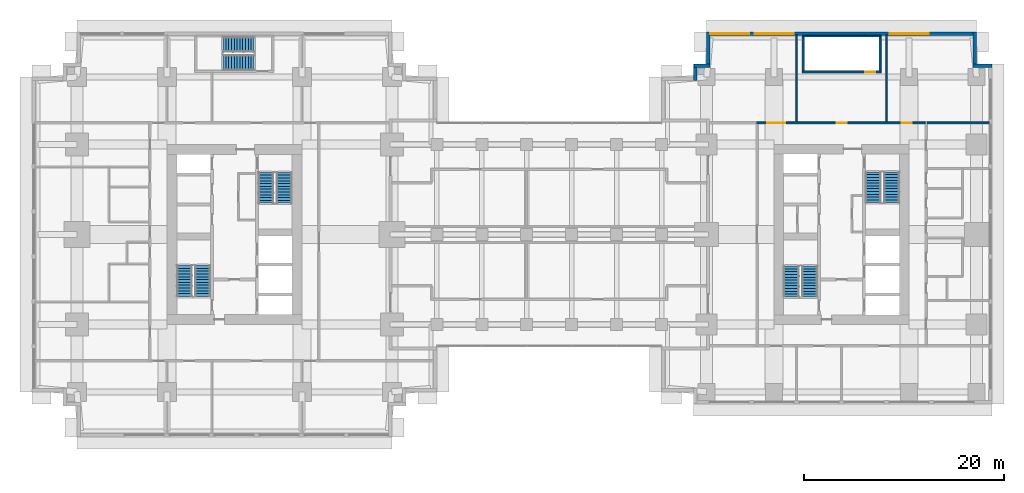
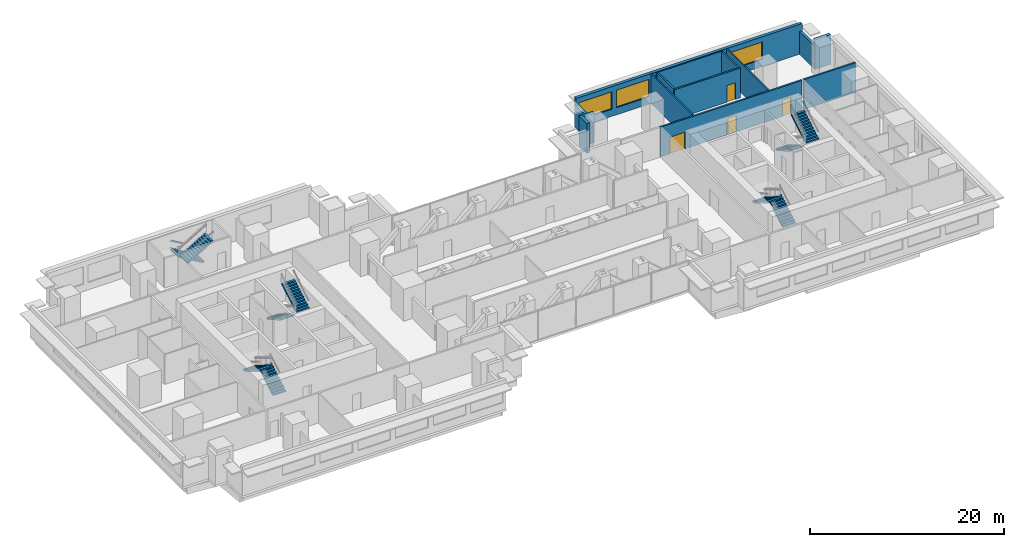
# One storey, part 12 of 14: 14 walls, 10 stair flights, 4 doors, 3 windows, 7 openings, 5 elements without a shape of their own.
"""IFC4 building model written with IfcOpenShell, lengths in metres."""

from ifc_helpers import new_model, si_unit, direction, frame, frame_2d, origin, place, context, subcontext, project, spatial, polyline, rectangle, outline, extrude, material, layer, layer_set, type_object, element, fill, aggregate, save


model = new_model("IFC4")

# Units and contexts
model_context = context("Model", 3, precision=1e-05, world=origin(), true_north=direction((0.0, 1.0)))
body_context = subcontext(model_context, "Body", "Model", "MODEL_VIEW")
ifc_project = project(units=[si_unit("LENGTHUNIT", "METRE"), si_unit("AREAUNIT", "SQUARE_METRE"), si_unit("VOLUMEUNIT", "CUBIC_METRE"), si_unit("PLANEANGLEUNIT", "RADIAN"), si_unit("MASSUNIT", "GRAM", prefix="KILO")], contexts=[model_context])

# Site, building, storey
site_placement = place(None, origin())
site = spatial("IfcSite", under=ifc_project, at=site_placement, CompositionType="ELEMENT")
building_placement = place(site_placement, origin())
building = spatial("IfcBuilding", under=site, at=building_placement, Name="Namib Vertical Campus", CompositionType="ELEMENT")
storey_placement = place(building_placement, frame((0.0, 0.0, 133.0)))
storey = spatial("IfcBuildingStorey", under=building, at=storey_placement, Name="L31", CompositionType="ELEMENT", Elevation=133.0)

# Wall, openings, doors
ifc_material_1 = material(Name="Concrete masonry", Category="masonry")
ifc_layer_1 = layer(ifc_material_1, 0.199951171875)
ifc_layer_set_1 = layer_set([ifc_layer_1], Name="Corridor wall 200")
wall_type_1 = type_object("IfcWallType", Name="Corridor wall 200", PredefinedType="SOLIDWALL", material=ifc_layer_set_1)
wall_1_placement = place(storey_placement, frame((89.35009765625, 31.39990234375, 0.0), z_axis=(0.0, 0.0, 1.0), x_axis=(-1.0, 0.0, 0.0)))
wall_1 = element("IfcWall", 1, at=wall_1_placement, inside=storey, type_object=wall_type_1, Name="Corridor wall B L31 CN", PredefinedType="SOLIDWALL", context=body_context, shape_type="SweptSolid", body=[
    extrude(rectangle(XDim=16.900146484375, YDim=0.199951171875, at=frame_2d((8.4501953125, 0.0))), origin(), (0.0, 0.0, 1.0), 3.75),
])
opening_1_placement = place(wall_1_placement, frame((13.97509765625, 0.0, 0.0)))
opening_1 = element("IfcOpeningElement", 2, at=opening_1_placement, cuts=wall_1, Name="Opening CD2", PredefinedType="OPENING", context=body_context, shape_type="SweptSolid", body=[
    extrude(rectangle(XDim=1.800048828125, YDim=2.10009765625, at=frame_2d((0.89990234375, 1.050048828125))), frame((0.0, 0.10986328125, 0.0), z_axis=(0.0, -1.0, 0.0), x_axis=(1.0, 0.0, 0.0)), (0.0, 0.0, 1.0), 0.219970703125),
])
opening_2_placement = place(wall_1_placement, frame((7.85009765625, 0.0, 0.0)))
opening_2 = element("IfcOpeningElement", 3, at=opening_2_placement, cuts=wall_1, Name="Opening CD1", PredefinedType="OPENING", context=body_context, shape_type="SweptSolid", body=[
    extrude(rectangle(XDim=1.0, YDim=2.10009765625, at=frame_2d((0.5, 1.050048828125))), frame((0.0, 0.10986328125, 0.0), z_axis=(0.0, -1.0, 0.0), x_axis=(1.0, 0.0, 0.0)), (0.0, 0.0, 1.0), 0.219970703125),
])
opening_3_placement = place(wall_1_placement, frame((1.324951171875, 0.0, 0.0)))
opening_3 = element("IfcOpeningElement", 4, at=opening_3_placement, cuts=wall_1, Name="Opening CD1", PredefinedType="OPENING", context=body_context, shape_type="SweptSolid", body=[
    extrude(rectangle(XDim=1.0, YDim=2.10009765625, at=frame_2d((0.5, 1.050048828125))), frame((0.0, 0.10986328125, 0.0), z_axis=(0.0, -1.0, 0.0), x_axis=(1.0, 0.0, 0.0)), (0.0, 0.0, 1.0), 0.219970703125),
])
ifc_material_2 = material(Name="Timber fire door leaf", Category="wood")
door_type_1 = type_object("IfcDoorType", Name="Corridor door 1000x2100 20 min", OperationType="SINGLE_SWING_LEFT", PredefinedType="DOOR", material=ifc_material_2)
door_1_placement = place(opening_2_placement, frame((1.0, 0.0, 0.0), z_axis=(0.0, 0.0, 1.0), x_axis=(-1.0, 0.0, 0.0)))
door_1 = element("IfcDoor", 5, at=door_1_placement, inside=storey, type_object=door_type_1, Name="Door CD1 B31-12", OperationType="SINGLE_SWING_RIGHT", OverallHeight=2.10009765625, OverallWidth=1.0, PredefinedType="DOOR", context=body_context, shape_type="SweptSolid", body=[
    extrude(rectangle(XDim=1.0, YDim=2.10009765625, at=frame_2d((0.5, 1.050048828125))), frame((0.0, 0.02490234375, 0.0), z_axis=(0.0, -1.0, 0.0), x_axis=(1.0, 0.0, 0.0)), (0.0, 0.0, 1.0), 0.050048828125),
])
fill(opening_2, door_1)
door_2_placement = place(opening_3_placement, frame((1.0, 0.0, 0.0), z_axis=(0.0, 0.0, 1.0), x_axis=(-1.0, 0.0, 0.0)))
door_2 = element("IfcDoor", 6, at=door_2_placement, inside=storey, type_object=door_type_1, Name="Door CD1 B31-13", OperationType="SINGLE_SWING_LEFT", OverallHeight=2.10009765625, OverallWidth=1.0, PredefinedType="DOOR", context=body_context, shape_type="SweptSolid", body=[
    extrude(rectangle(XDim=1.0, YDim=2.10009765625, at=frame_2d((0.5, 1.050048828125))), frame((0.0, 0.02490234375, 0.0), z_axis=(0.0, -1.0, 0.0), x_axis=(1.0, 0.0, 0.0)), (0.0, 0.0, 1.0), 0.050048828125),
])
fill(opening_3, door_2)
ifc_material_3 = material(Name="Timber fire door leaf", Category="wood")
door_type_2 = type_object("IfcDoorType", Name="Corridor door double 1800x2100 20 min", OperationType="DOUBLE_DOOR_SINGLE_SWING", PredefinedType="DOOR", material=ifc_material_3)
door_3_placement = place(opening_1_placement, frame((1.800048828125, 0.0, 0.0), z_axis=(0.0, 0.0, 1.0), x_axis=(-1.0, 0.0, 0.0)))
door_3 = element("IfcDoor", 7, at=door_3_placement, inside=storey, type_object=door_type_2, Name="Door CD2 B31-11", OperationType="DOUBLE_DOOR_SINGLE_SWING", OverallHeight=2.10009765625, OverallWidth=1.800048828125, PredefinedType="DOOR", context=body_context, shape_type="SweptSolid", body=[
    extrude(rectangle(XDim=1.800048828125, YDim=2.10009765625, at=frame_2d((0.89990234375, 1.050048828125))), frame((0.0, 0.02490234375, 0.0), z_axis=(0.0, -1.0, 0.0), x_axis=(1.0, 0.0, 0.0)), (0.0, 0.0, 1.0), 0.050048828125),
])
fill(opening_1, door_3)

# Walls
wall_2_placement = place(storey_placement, frame((89.550048828125, 31.39990234375, 0.0), z_axis=(0.0, 0.0, 1.0), x_axis=(1.0, 0.0, 0.0)))
element("IfcWall", 8, at=wall_2_placement, inside=storey, type_object=wall_type_1, Name="Partition B L31 BNE", PredefinedType="SOLIDWALL", context=body_context, shape_type="SweptSolid", body=[
    extrude(rectangle(XDim=6.199951171875, YDim=0.199951171875, at=frame_2d((3.10009765625, 0.0))), origin(), (0.0, 0.0, 1.0), 3.75),
])
ifc_material_4 = material(Name="Concrete C40/50", Category="concrete")
ifc_layer_2 = layer(ifc_material_4, 0.35009765625)
ifc_layer_set_2 = layer_set([ifc_layer_2], Name="Concrete C40/50")
wall_type_2 = type_object("IfcWallType", Name="External wall 350 bush-hammered concrete", PredefinedType="STANDARD", material=ifc_layer_set_2)
wall_3_placement = place(storey_placement, frame((96.030029296875, 37.125, 0.0), z_axis=(0.0, 0.0, 1.0), x_axis=(-1.0, 0.0, 0.0)))
element("IfcWall", 9, at=wall_3_placement, inside=storey, type_object=wall_type_2, Name="External wall L31 F06", PredefinedType="STANDARD", context=body_context, shape_type="SweptSolid", body=[
    extrude(rectangle(XDim=1.860107421875, YDim=0.35009765625, at=frame_2d((0.93017578125, 0.0))), origin(), (0.0, 0.0, 1.0), 3.75),
])
wall_4_placement = place(storey_placement, frame((94.324951171875, 36.969970703125, 0.0), z_axis=(0.0, 0.0, 1.0), x_axis=(0.0, 1.0, 0.0)))
element("IfcWall", 10, at=wall_4_placement, inside=storey, type_object=wall_type_2, Name="External wall L31 F07", PredefinedType="STANDARD", context=body_context, shape_type="SweptSolid", body=[
    extrude(rectangle(XDim=3.510009765625, YDim=0.35009765625, at=frame_2d((1.7548828125, 0.0))), origin(), (0.0, 0.0, 1.0), 2.85009765625),
])

# Wall, openings, windows
wall_5_placement = place(storey_placement, frame((94.47998046875, 40.324951171875, 0.0), z_axis=(0.0, 0.0, 1.0), x_axis=(-1.0, 0.0, 0.0)))
wall_5 = element("IfcWall", 11, at=wall_5_placement, inside=storey, type_object=wall_type_2, Name="External wall L31 F08", PredefinedType="STANDARD", context=body_context, shape_type="SweptSolid", body=[
    extrude(rectangle(XDim=26.9599609375, YDim=0.35009765625, at=frame_2d((13.47998046875, 0.0))), origin(), (0.0, 0.0, 1.0), 3.75),
])
opening_4_placement = place(wall_5_placement, frame((22.7099609375, 0.0, 0.89990234375)))
opening_4 = element("IfcOpeningElement", 12, at=opening_4_placement, cuts=wall_5, Name="Opening W1", PredefinedType="OPENING", context=body_context, shape_type="SweptSolid", body=[
    extrude(rectangle(XDim=3.89990234375, YDim=2.199951171875, at=frame_2d((1.949951171875, 1.10009765625))), frame((0.0, 0.18505859375, 0.0), z_axis=(0.0, -1.0, 0.0), x_axis=(1.0, 0.0, 0.0)), (0.0, 0.0, 1.0), 0.3701171875),
])
opening_5_placement = place(wall_5_placement, frame((18.280029296875, 0.0, 0.89990234375)))
opening_5 = element("IfcOpeningElement", 13, at=opening_5_placement, cuts=wall_5, Name="Opening W1", PredefinedType="OPENING", context=body_context, shape_type="SweptSolid", body=[
    extrude(rectangle(XDim=3.89990234375, YDim=2.199951171875, at=frame_2d((1.949951171875, 1.10009765625))), frame((0.0, 0.18505859375, 0.0), z_axis=(0.0, -1.0, 0.0), x_axis=(1.0, 0.0, 0.0)), (0.0, 0.0, 1.0), 0.3701171875),
])
opening_6_placement = place(wall_5_placement, frame((4.780029296875, 0.0, 0.89990234375)))
opening_6 = element("IfcOpeningElement", 14, at=opening_6_placement, cuts=wall_5, Name="Opening W1", PredefinedType="OPENING", context=body_context, shape_type="SweptSolid", body=[
    extrude(rectangle(XDim=3.89990234375, YDim=2.199951171875, at=frame_2d((1.949951171875, 1.10009765625))), frame((0.0, 0.18505859375, 0.0), z_axis=(0.0, -1.0, 0.0), x_axis=(1.0, 0.0, 0.0)), (0.0, 0.0, 1.0), 0.3701171875),
])
ifc_material_5 = material(Name="Dark tinted glass in black aluminium frame", Category="aluminium")
window_type = type_object("IfcWindowType", Name="Ribbon window 3900x2200", PartitioningType="SINGLE_PANEL", PredefinedType="WINDOW", material=ifc_material_5)
window_1_placement = place(opening_4_placement, origin())
window_1 = element("IfcWindow", 15, at=window_1_placement, inside=storey, type_object=window_type, Name="Window W1 L31 F08-1", OverallHeight=2.199951171875, OverallWidth=3.89990234375, PartitioningType="SINGLE_PANEL", PredefinedType="WINDOW", context=body_context, shape_type="SweptSolid", body=[
    extrude(rectangle(XDim=3.89990234375, YDim=2.199951171875, at=frame_2d((1.949951171875, 1.10009765625))), frame((0.0, 0.030029296875, 0.0), z_axis=(0.0, -1.0, 0.0), x_axis=(1.0, 0.0, 0.0)), (0.0, 0.0, 1.0), 0.06005859375),
])
fill(opening_4, window_1)
window_2_placement = place(opening_5_placement, origin())
window_2 = element("IfcWindow", 16, at=window_2_placement, inside=storey, type_object=window_type, Name="Window W1 L31 F08-2", OverallHeight=2.199951171875, OverallWidth=3.89990234375, PartitioningType="SINGLE_PANEL", PredefinedType="WINDOW", context=body_context, shape_type="SweptSolid", body=[
    extrude(rectangle(XDim=3.89990234375, YDim=2.199951171875, at=frame_2d((1.949951171875, 1.10009765625))), frame((0.0, 0.030029296875, 0.0), z_axis=(0.0, -1.0, 0.0), x_axis=(1.0, 0.0, 0.0)), (0.0, 0.0, 1.0), 0.06005859375),
])
fill(opening_5, window_2)
window_3_placement = place(opening_6_placement, origin())
window_3 = element("IfcWindow", 17, at=window_3_placement, inside=storey, type_object=window_type, Name="Window W1 L31 F08-5", OverallHeight=2.199951171875, OverallWidth=3.89990234375, PartitioningType="SINGLE_PANEL", PredefinedType="WINDOW", context=body_context, shape_type="SweptSolid", body=[
    extrude(rectangle(XDim=3.89990234375, YDim=2.199951171875, at=frame_2d((1.949951171875, 1.10009765625))), frame((0.0, 0.030029296875, 0.0), z_axis=(0.0, -1.0, 0.0), x_axis=(1.0, 0.0, 0.0)), (0.0, 0.0, 1.0), 0.06005859375),
])
fill(opening_6, window_3)

# Walls
wall_6_placement = place(storey_placement, frame((67.675048828125, 40.47998046875, 0.0), z_axis=(0.0, 0.0, 1.0), x_axis=(0.0, -1.0, 0.0)))
element("IfcWall", 18, at=wall_6_placement, inside=storey, type_object=wall_type_2, Name="External wall L31 F09", PredefinedType="STANDARD", context=body_context, shape_type="SweptSolid", body=[
    extrude(rectangle(XDim=3.510009765625, YDim=0.35009765625, at=frame_2d((1.7548828125, 0.0))), origin(), (0.0, 0.0, 1.0), 2.85009765625),
])
for number, where, z_axis, x_axis, name in (
    (19, (67.830078125, 37.125, 0.0), (0.0, 0.0, 1.0), (-1.0, 0.0, 0.0), "External wall L31 F10"),
    (20, (66.375, 37.280029296875, 0.0), (0.0, 0.0, 1.0), (0.0, -1.0, 0.0), "External wall L31 F11"),
):
    element("IfcWall", number, at=place(storey_placement, frame(where, z_axis=z_axis, x_axis=x_axis)), inside=storey, type_object=wall_type_2, Name=name, PredefinedType="STANDARD", context=body_context, shape_type="SweptSolid", body=[
        extrude(rectangle(XDim=1.610107421875, YDim=0.35009765625, at=frame_2d((0.80517578125, 0.0))), origin(), (0.0, 0.0, 1.0), 3.75),
    ])
ifc_material_6 = material(Name="Gypsum board on steel studs", Category="steel")
ifc_layer_3 = layer(ifc_material_6, 0.14990234375)
ifc_layer_set_3 = layer_set([ifc_layer_3], Name="Gypsum board on steel studs")
wall_type_3 = type_object("IfcWallType", Name="Partition 150", PredefinedType="PARTITIONING", material=ifc_layer_set_3)
for number, where, z_axis, x_axis, name in (
    (21, (76.5, 31.5, 0.0), (0.0, 0.0, 1.0), (0.0, 1.0, 0.0), "Partition B L31 PN1"),
    (22, (85.5, 31.5, 0.0), (0.0, 0.0, 1.0), (0.0, 1.0, 0.0), "Partition B L31 PN2"),
):
    element("IfcWall", number, at=place(storey_placement, frame(where, z_axis=z_axis, x_axis=x_axis)), inside=storey, type_object=wall_type_3, Name=name, PredefinedType="PARTITIONING", context=body_context, shape_type="SweptSolid", body=[
        extrude(rectangle(XDim=8.699951171875, YDim=0.14990234375, at=frame_2d((4.35009765625, 0.0))), origin(), (0.0, 0.0, 1.0), 3.75),
    ])
ifc_material_7 = material(Name="Concrete C40/50", Category="concrete")
ifc_layer_4 = layer(ifc_material_7, 0.14990234375)
ifc_layer_set_4 = layer_set([ifc_layer_4], Name="Concrete C40/50")
wall_type_4 = type_object("IfcWallType", Name="Stair enclosure wall RC 150", PredefinedType="SOLIDWALL", material=ifc_layer_set_4)
wall_7_placement = place(storey_placement, frame((77.050048828125, 40.074951171875, 0.0), z_axis=(0.0, 0.0, 1.0), x_axis=(1.0, 0.0, 0.0)))
element("IfcWall", 23, at=wall_7_placement, inside=storey, type_object=wall_type_4, Name="Stair enclosure wall B-S3 L31 N", PredefinedType="SOLIDWALL", context=body_context, shape_type="SweptSolid", body=[
    extrude(rectangle(XDim=7.89990234375, YDim=0.14990234375, at=frame_2d((3.949951171875, 0.0))), origin(), (0.0, 0.0, 1.0), 3.75),
])

# Wall, opening, door
ifc_material_8 = material(Name="Concrete C40/50", Category="concrete")
ifc_layer_5 = layer(ifc_material_8, 0.199951171875)
ifc_layer_set_5 = layer_set([ifc_layer_5], Name="Concrete C40/50")
wall_type_5 = type_object("IfcWallType", Name="Stair enclosure wall RC 200", PredefinedType="SOLIDWALL", material=ifc_layer_set_5)
wall_8_placement = place(storey_placement, frame((77.050048828125, 36.5, 0.0), z_axis=(0.0, 0.0, 1.0), x_axis=(1.0, 0.0, 0.0)))
wall_8 = element("IfcWall", 24, at=wall_8_placement, inside=storey, type_object=wall_type_5, Name="Stair enclosure wall B-S3 L31 S", PredefinedType="SOLIDWALL", context=body_context, shape_type="SweptSolid", body=[
    extrude(rectangle(XDim=7.89990234375, YDim=0.199951171875, at=frame_2d((3.949951171875, 0.0))), origin(), (0.0, 0.0, 1.0), 3.75),
])
opening_7_placement = place(wall_8_placement, frame((6.300048828125, 0.0, 0.0)))
opening_7 = element("IfcOpeningElement", 25, at=opening_7_placement, cuts=wall_8, Name="Opening FD1", PredefinedType="OPENING", context=body_context, shape_type="SweptSolid", body=[
    extrude(rectangle(XDim=1.0, YDim=2.10009765625, at=frame_2d((0.5, 1.050048828125))), frame((0.0, 0.10986328125, 0.0), z_axis=(0.0, -1.0, 0.0), x_axis=(1.0, 0.0, 0.0)), (0.0, 0.0, 1.0), 0.219970703125),
])
ifc_material_9 = material(Name="Steel fire door", Category="steel")
door_type_3 = type_object("IfcDoorType", Name="Fire door 1000x2100", OperationType="SINGLE_SWING_RIGHT", PredefinedType="DOOR", material=ifc_material_9)
door_4_placement = place(opening_7_placement, origin())
door_4 = element("IfcDoor", 26, at=door_4_placement, inside=storey, type_object=door_type_3, Name="Stair door FD1 B L31 S3", OperationType="SINGLE_SWING_RIGHT", OverallHeight=2.10009765625, OverallWidth=1.0, PredefinedType="DOOR", context=body_context, shape_type="SweptSolid", body=[
    extrude(rectangle(XDim=1.0, YDim=2.10009765625, at=frame_2d((0.5, 1.050048828125))), frame((0.0, 0.02490234375, 0.0), z_axis=(0.0, -1.0, 0.0), x_axis=(1.0, 0.0, 0.0)), (0.0, 0.0, 1.0), 0.050048828125),
])
fill(opening_7, door_4)

# Walls
for number, where, z_axis, x_axis, name in (
    (27, (77.14990234375, 36.60009765625, 0.0), (0.0, 0.0, 1.0), (0.0, 1.0, 0.0), "Stair enclosure wall B-S3 L31 W"),
    (28, (84.85009765625, 36.60009765625, 0.0), (0.0, 0.0, 1.0), (0.0, 1.0, 0.0), "Stair enclosure wall B-S3 L31 E"),
):
    element("IfcWall", number, at=place(storey_placement, frame(where, z_axis=z_axis, x_axis=x_axis)), inside=storey, type_object=wall_type_5, Name=name, PredefinedType="SOLIDWALL", context=body_context, shape_type="SweptSolid", body=[
        extrude(rectangle(XDim=3.39990234375, YDim=0.199951171875, at=frame_2d((1.699951171875, 0.0))), origin(), (0.0, 0.0, 1.0), 3.75),
    ])

# Stair, stair flights
ifc_material_10 = material(Name="Concrete C40/50 precast", Category="concrete")
stair_type_1 = type_object("IfcStairType", Name="Exit stair 4000 rise 24 risers 3350 wide", PredefinedType="HALF_TURN_STAIR", material=ifc_material_10)
stair_1_placement = place(storey_placement, origin())
stair_1 = element("IfcStair", 29, at=stair_1_placement, inside=storey, type_object=stair_type_1, Name="Exit stair A-S1 L31", PredefinedType="HALF_TURN_STAIR")
ifc_material_11 = material(Name="Concrete C40/50 precast", Category="concrete")
stair_flight_type_1 = type_object("IfcStairFlightType", Name="Stair flight 12 risers 167 1525 wide", PredefinedType="STRAIGHT", material=ifc_material_11)
stair_flight_1_placement = place(storey_placement, frame((17.08740234375, 14.050048828125, 0.0), z_axis=(0.0, 0.0, 1.0), x_axis=(0.0, 1.0, 0.0)))
stair_flight_1 = element("IfcStairFlight", 30, at=stair_flight_1_placement, type_object=stair_flight_type_1, Name="A-S1 flight 1", NumberOfRisers=12, NumberOfTreads=11, PredefinedType="STRAIGHT", RiserHeight=0.166666667, TreadLength=0.28, context=body_context, shape_type="SweptSolid", body=[
    extrude(outline(polyline([(0.0, 0.0), (0.0, 0.166748046875), (0.280029296875, 0.166748046875), (0.280029296875, 0.333251953125), (0.56005859375, 0.333251953125), (0.56005859375, 0.5), (0.840087890625, 0.5), (0.840087890625, 0.666748046875), (1.1201171875, 0.666748046875), (1.1201171875, 0.833251953125), (1.39990234375, 0.833251953125), (1.39990234375, 1.0), (1.679931640625, 1.0), (1.679931640625, 1.166748046875), (1.9599609375, 1.166748046875), (1.9599609375, 1.333251953125), (2.239990234375, 1.333251953125), (2.239990234375, 1.5), (2.52001953125, 1.5), (2.52001953125, 1.666748046875), (2.800048828125, 1.666748046875), (2.800048828125, 1.833251953125), (3.080078125, 1.833251953125), (3.080078125, 2.0), (3.080078125, 1.658935546875), (0.29296875, 0.0), (0.0, 0.0)])), frame((0.0, 0.762451171875, 0.0), z_axis=(0.0, -1.0, 0.0), x_axis=(1.0, 0.0, 0.0)), (0.0, 0.0, 1.0), 1.52490234375),
])
stair_flight_2_placement = place(storey_placement, frame((15.262451171875, 17.1298828125, 2.0), z_axis=(0.0, 0.0, 1.0), x_axis=(0.0, -1.0, 0.0)))
stair_flight_2 = element("IfcStairFlight", 31, at=stair_flight_2_placement, type_object=stair_flight_type_1, Name="A-S1 flight 2", NumberOfRisers=12, NumberOfTreads=11, PredefinedType="STRAIGHT", RiserHeight=0.166666667, TreadLength=0.28, context=body_context, shape_type="SweptSolid", body=[
    extrude(outline(polyline([(0.0, 0.0), (0.0, 0.166748046875), (0.280029296875, 0.166748046875), (0.280029296875, 0.333251953125), (0.56005859375, 0.333251953125), (0.56005859375, 0.5), (0.840087890625, 0.5), (0.840087890625, 0.666748046875), (1.1201171875, 0.666748046875), (1.1201171875, 0.833251953125), (1.39990234375, 0.833251953125), (1.39990234375, 1.0), (1.679931640625, 1.0), (1.679931640625, 1.166748046875), (1.9599609375, 1.166748046875), (1.9599609375, 1.333251953125), (2.239990234375, 1.333251953125), (2.239990234375, 1.5), (2.52001953125, 1.5), (2.52001953125, 1.666748046875), (2.800048828125, 1.666748046875), (2.800048828125, 1.833251953125), (3.080078125, 1.833251953125), (3.080078125, 2.0), (3.080078125, 1.658935546875), (0.29296875, 0.0), (0.0, 0.0)])), frame((0.0, 0.762451171875, 0.0), z_axis=(0.0, -1.0, 0.0), x_axis=(1.0, 0.0, 0.0)), (0.0, 0.0, 1.0), 1.52490234375),
])
aggregate(stair_1, [stair_flight_1, stair_flight_2])

stair_2_placement = place(storey_placement, origin())
stair_2 = element("IfcStair", 32, at=stair_2_placement, inside=storey, type_object=stair_type_1, Name="Exit stair A-S2 L31", PredefinedType="HALF_TURN_STAIR")
stair_flight_3_placement = place(storey_placement, frame((23.41259765625, 26.449951171875, 0.0), z_axis=(0.0, 0.0, 1.0), x_axis=(0.0, -1.0, 0.0)))
stair_flight_3 = element("IfcStairFlight", 33, at=stair_flight_3_placement, type_object=stair_flight_type_1, Name="A-S2 flight 1", NumberOfRisers=12, NumberOfTreads=11, PredefinedType="STRAIGHT", RiserHeight=0.166666667, TreadLength=0.28, context=body_context, shape_type="SweptSolid", body=[
    extrude(outline(polyline([(0.0, 0.0), (0.0, 0.166748046875), (0.280029296875, 0.166748046875), (0.280029296875, 0.333251953125), (0.56005859375, 0.333251953125), (0.56005859375, 0.5), (0.840087890625, 0.5), (0.840087890625, 0.666748046875), (1.1201171875, 0.666748046875), (1.1201171875, 0.833251953125), (1.39990234375, 0.833251953125), (1.39990234375, 1.0), (1.679931640625, 1.0), (1.679931640625, 1.166748046875), (1.9599609375, 1.166748046875), (1.9599609375, 1.333251953125), (2.239990234375, 1.333251953125), (2.239990234375, 1.5), (2.52001953125, 1.5), (2.52001953125, 1.666748046875), (2.800048828125, 1.666748046875), (2.800048828125, 1.833251953125), (3.080078125, 1.833251953125), (3.080078125, 2.0), (3.080078125, 1.658935546875), (0.29296875, 0.0), (0.0, 0.0)])), frame((0.0, 0.762451171875, 0.0), z_axis=(0.0, -1.0, 0.0), x_axis=(1.0, 0.0, 0.0)), (0.0, 0.0, 1.0), 1.52490234375),
])
stair_flight_4_placement = place(storey_placement, frame((25.237548828125, 23.3701171875, 2.0), z_axis=(0.0, 0.0, 1.0), x_axis=(0.0, 1.0, 0.0)))
stair_flight_4 = element("IfcStairFlight", 34, at=stair_flight_4_placement, type_object=stair_flight_type_1, Name="A-S2 flight 2", NumberOfRisers=12, NumberOfTreads=11, PredefinedType="STRAIGHT", RiserHeight=0.166666667, TreadLength=0.28, context=body_context, shape_type="SweptSolid", body=[
    extrude(outline(polyline([(0.0, 0.0), (0.0, 0.166748046875), (0.280029296875, 0.166748046875), (0.280029296875, 0.333251953125), (0.56005859375, 0.333251953125), (0.56005859375, 0.5), (0.840087890625, 0.5), (0.840087890625, 0.666748046875), (1.1201171875, 0.666748046875), (1.1201171875, 0.833251953125), (1.39990234375, 0.833251953125), (1.39990234375, 1.0), (1.679931640625, 1.0), (1.679931640625, 1.166748046875), (1.9599609375, 1.166748046875), (1.9599609375, 1.333251953125), (2.239990234375, 1.333251953125), (2.239990234375, 1.5), (2.52001953125, 1.5), (2.52001953125, 1.666748046875), (2.800048828125, 1.666748046875), (2.800048828125, 1.833251953125), (3.080078125, 1.833251953125), (3.080078125, 2.0), (3.080078125, 1.658935546875), (0.29296875, 0.0), (0.0, 0.0)])), frame((0.0, 0.762451171875, 0.0), z_axis=(0.0, -1.0, 0.0), x_axis=(1.0, 0.0, 0.0)), (0.0, 0.0, 1.0), 1.52490234375),
])
aggregate(stair_2, [stair_flight_3, stair_flight_4])

stair_3_placement = place(storey_placement, origin())
stair_3 = element("IfcStair", 35, at=stair_3_placement, inside=storey, type_object=stair_type_1, Name="Exit stair A-S3 L31", PredefinedType="HALF_TURN_STAIR")
stair_flight_5_placement = place(storey_placement, frame((22.199951171875, 39.237548828125, 0.0), z_axis=(0.0, 0.0, 1.0), x_axis=(-1.0, 0.0, 0.0)))
stair_flight_5 = element("IfcStairFlight", 36, at=stair_flight_5_placement, type_object=stair_flight_type_1, Name="A-S3 flight 1", NumberOfRisers=12, NumberOfTreads=11, PredefinedType="STRAIGHT", RiserHeight=0.166666667, TreadLength=0.28, context=body_context, shape_type="SweptSolid", body=[
    extrude(outline(polyline([(0.0, 0.0), (0.0, 0.166748046875), (0.280029296875, 0.166748046875), (0.280029296875, 0.333251953125), (0.56005859375, 0.333251953125), (0.56005859375, 0.5), (0.840087890625, 0.5), (0.840087890625, 0.666748046875), (1.1201171875, 0.666748046875), (1.1201171875, 0.833251953125), (1.39990234375, 0.833251953125), (1.39990234375, 1.0), (1.679931640625, 1.0), (1.679931640625, 1.166748046875), (1.9599609375, 1.166748046875), (1.9599609375, 1.333251953125), (2.239990234375, 1.333251953125), (2.239990234375, 1.5), (2.52001953125, 1.5), (2.52001953125, 1.666748046875), (2.800048828125, 1.666748046875), (2.800048828125, 1.833251953125), (3.080078125, 1.833251953125), (3.080078125, 2.0), (3.080078125, 1.658935546875), (0.29296875, 0.0), (0.0, 0.0)])), frame((0.0, 0.762451171875, 0.0), z_axis=(0.0, -1.0, 0.0), x_axis=(1.0, 0.0, 0.0)), (0.0, 0.0, 1.0), 1.52490234375),
])
stair_flight_6_placement = place(storey_placement, frame((19.1201171875, 37.41259765625, 2.0), z_axis=(0.0, 0.0, 1.0), x_axis=(1.0, 0.0, 0.0)))
stair_flight_6 = element("IfcStairFlight", 37, at=stair_flight_6_placement, type_object=stair_flight_type_1, Name="A-S3 flight 2", NumberOfRisers=12, NumberOfTreads=11, PredefinedType="STRAIGHT", RiserHeight=0.166666667, TreadLength=0.28, context=body_context, shape_type="SweptSolid", body=[
    extrude(outline(polyline([(0.0, 0.0), (0.0, 0.166748046875), (0.280029296875, 0.166748046875), (0.280029296875, 0.333251953125), (0.56005859375, 0.333251953125), (0.56005859375, 0.5), (0.840087890625, 0.5), (0.840087890625, 0.666748046875), (1.1201171875, 0.666748046875), (1.1201171875, 0.833251953125), (1.39990234375, 0.833251953125), (1.39990234375, 1.0), (1.679931640625, 1.0), (1.679931640625, 1.166748046875), (1.9599609375, 1.166748046875), (1.9599609375, 1.333251953125), (2.239990234375, 1.333251953125), (2.239990234375, 1.5), (2.52001953125, 1.5), (2.52001953125, 1.666748046875), (2.800048828125, 1.666748046875), (2.800048828125, 1.833251953125), (3.080078125, 1.833251953125), (3.080078125, 2.0), (3.080078125, 1.658935546875), (0.29296875, 0.0), (0.0, 0.0)])), frame((0.0, 0.762451171875, 0.0), z_axis=(0.0, -1.0, 0.0), x_axis=(1.0, 0.0, 0.0)), (0.0, 0.0, 1.0), 1.52490234375),
])
aggregate(stair_3, [stair_flight_5, stair_flight_6])

ifc_material_12 = material(Name="Concrete C40/50 precast", Category="concrete")
stair_type_2 = type_object("IfcStairType", Name="Exit stair 4000 rise 24 risers 3400 wide", PredefinedType="HALF_TURN_STAIR", material=ifc_material_12)
stair_4_placement = place(storey_placement, origin())
stair_4 = element("IfcStair", 38, at=stair_4_placement, inside=storey, type_object=stair_type_2, Name="Exit stair B-S1 L31", PredefinedType="HALF_TURN_STAIR")
ifc_material_13 = material(Name="Concrete C40/50 precast", Category="concrete")
stair_flight_type_2 = type_object("IfcStairFlightType", Name="Stair flight 12 risers 167 1550 wide", PredefinedType="STRAIGHT", material=ifc_material_13)
stair_flight_7_placement = place(storey_placement, frame((77.824951171875, 14.0, 0.0), z_axis=(0.0, 0.0, 1.0), x_axis=(0.0, 1.0, 0.0)))
stair_flight_7 = element("IfcStairFlight", 39, at=stair_flight_7_placement, type_object=stair_flight_type_2, Name="B-S1 flight 1", NumberOfRisers=12, NumberOfTreads=11, PredefinedType="STRAIGHT", RiserHeight=0.166666667, TreadLength=0.28, context=body_context, shape_type="SweptSolid", body=[
    extrude(outline(polyline([(0.0, 0.0), (0.0, 0.166748046875), (0.280029296875, 0.166748046875), (0.280029296875, 0.333251953125), (0.56005859375, 0.333251953125), (0.56005859375, 0.5), (0.840087890625, 0.5), (0.840087890625, 0.666748046875), (1.1201171875, 0.666748046875), (1.1201171875, 0.833251953125), (1.39990234375, 0.833251953125), (1.39990234375, 1.0), (1.679931640625, 1.0), (1.679931640625, 1.166748046875), (1.9599609375, 1.166748046875), (1.9599609375, 1.333251953125), (2.239990234375, 1.333251953125), (2.239990234375, 1.5), (2.52001953125, 1.5), (2.52001953125, 1.666748046875), (2.800048828125, 1.666748046875), (2.800048828125, 1.833251953125), (3.080078125, 1.833251953125), (3.080078125, 2.0), (3.080078125, 1.658935546875), (0.29296875, 0.0), (0.0, 0.0)])), frame((0.0, 0.77490234375, 0.0), z_axis=(0.0, -1.0, 0.0), x_axis=(1.0, 0.0, 0.0)), (0.0, 0.0, 1.0), 1.550048828125),
])
stair_flight_8_placement = place(storey_placement, frame((75.97509765625, 17.080078125, 2.0), z_axis=(0.0, 0.0, 1.0), x_axis=(0.0, -1.0, 0.0)))
stair_flight_8 = element("IfcStairFlight", 40, at=stair_flight_8_placement, type_object=stair_flight_type_2, Name="B-S1 flight 2", NumberOfRisers=12, NumberOfTreads=11, PredefinedType="STRAIGHT", RiserHeight=0.166666667, TreadLength=0.28, context=body_context, shape_type="SweptSolid", body=[
    extrude(outline(polyline([(0.0, 0.0), (0.0, 0.166748046875), (0.280029296875, 0.166748046875), (0.280029296875, 0.333251953125), (0.56005859375, 0.333251953125), (0.56005859375, 0.5), (0.840087890625, 0.5), (0.840087890625, 0.666748046875), (1.1201171875, 0.666748046875), (1.1201171875, 0.833251953125), (1.39990234375, 0.833251953125), (1.39990234375, 1.0), (1.679931640625, 1.0), (1.679931640625, 1.166748046875), (1.9599609375, 1.166748046875), (1.9599609375, 1.333251953125), (2.239990234375, 1.333251953125), (2.239990234375, 1.5), (2.52001953125, 1.5), (2.52001953125, 1.666748046875), (2.800048828125, 1.666748046875), (2.800048828125, 1.833251953125), (3.080078125, 1.833251953125), (3.080078125, 2.0), (3.080078125, 1.658935546875), (0.29296875, 0.0), (0.0, 0.0)])), frame((0.0, 0.77490234375, 0.0), z_axis=(0.0, -1.0, 0.0), x_axis=(1.0, 0.0, 0.0)), (0.0, 0.0, 1.0), 1.550048828125),
])
aggregate(stair_4, [stair_flight_7, stair_flight_8])

stair_5_placement = place(storey_placement, origin())
stair_5 = element("IfcStair", 41, at=stair_5_placement, inside=storey, type_object=stair_type_2, Name="Exit stair B-S2 L31", PredefinedType="HALF_TURN_STAIR")
stair_flight_9_placement = place(storey_placement, frame((84.175048828125, 26.5, 0.0), z_axis=(0.0, 0.0, 1.0), x_axis=(0.0, -1.0, 0.0)))
stair_flight_9 = element("IfcStairFlight", 42, at=stair_flight_9_placement, type_object=stair_flight_type_2, Name="B-S2 flight 1", NumberOfRisers=12, NumberOfTreads=11, PredefinedType="STRAIGHT", RiserHeight=0.166666667, TreadLength=0.28, context=body_context, shape_type="SweptSolid", body=[
    extrude(outline(polyline([(0.0, 0.0), (0.0, 0.166748046875), (0.280029296875, 0.166748046875), (0.280029296875, 0.333251953125), (0.56005859375, 0.333251953125), (0.56005859375, 0.5), (0.840087890625, 0.5), (0.840087890625, 0.666748046875), (1.1201171875, 0.666748046875), (1.1201171875, 0.833251953125), (1.39990234375, 0.833251953125), (1.39990234375, 1.0), (1.679931640625, 1.0), (1.679931640625, 1.166748046875), (1.9599609375, 1.166748046875), (1.9599609375, 1.333251953125), (2.239990234375, 1.333251953125), (2.239990234375, 1.5), (2.52001953125, 1.5), (2.52001953125, 1.666748046875), (2.800048828125, 1.666748046875), (2.800048828125, 1.833251953125), (3.080078125, 1.833251953125), (3.080078125, 2.0), (3.080078125, 1.658935546875), (0.29296875, 0.0), (0.0, 0.0)])), frame((0.0, 0.77490234375, 0.0), z_axis=(0.0, -1.0, 0.0), x_axis=(1.0, 0.0, 0.0)), (0.0, 0.0, 1.0), 1.550048828125),
])
stair_flight_10_placement = place(storey_placement, frame((86.02490234375, 23.419921875, 2.0), z_axis=(0.0, 0.0, 1.0), x_axis=(0.0, 1.0, 0.0)))
stair_flight_10 = element("IfcStairFlight", 43, at=stair_flight_10_placement, type_object=stair_flight_type_2, Name="B-S2 flight 2", NumberOfRisers=12, NumberOfTreads=11, PredefinedType="STRAIGHT", RiserHeight=0.166666667, TreadLength=0.28, context=body_context, shape_type="SweptSolid", body=[
    extrude(outline(polyline([(0.0, 0.0), (0.0, 0.166748046875), (0.280029296875, 0.166748046875), (0.280029296875, 0.333251953125), (0.56005859375, 0.333251953125), (0.56005859375, 0.5), (0.840087890625, 0.5), (0.840087890625, 0.666748046875), (1.1201171875, 0.666748046875), (1.1201171875, 0.833251953125), (1.39990234375, 0.833251953125), (1.39990234375, 1.0), (1.679931640625, 1.0), (1.679931640625, 1.166748046875), (1.9599609375, 1.166748046875), (1.9599609375, 1.333251953125), (2.239990234375, 1.333251953125), (2.239990234375, 1.5), (2.52001953125, 1.5), (2.52001953125, 1.666748046875), (2.800048828125, 1.666748046875), (2.800048828125, 1.833251953125), (3.080078125, 1.833251953125), (3.080078125, 2.0), (3.080078125, 1.658935546875), (0.29296875, 0.0), (0.0, 0.0)])), frame((0.0, 0.77490234375, 0.0), z_axis=(0.0, -1.0, 0.0), x_axis=(1.0, 0.0, 0.0)), (0.0, 0.0, 1.0), 1.550048828125),
])
aggregate(stair_5, [stair_flight_9, stair_flight_10])

save(model, "model.ifc")
